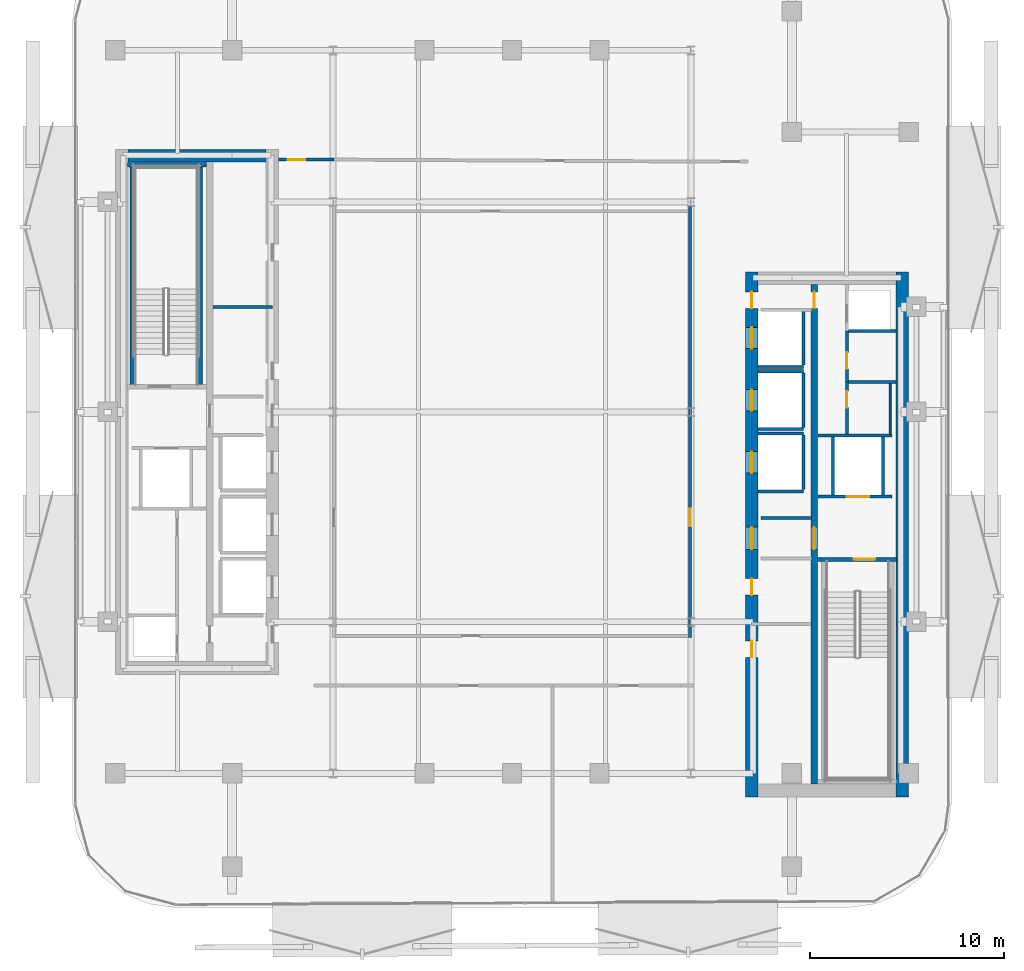
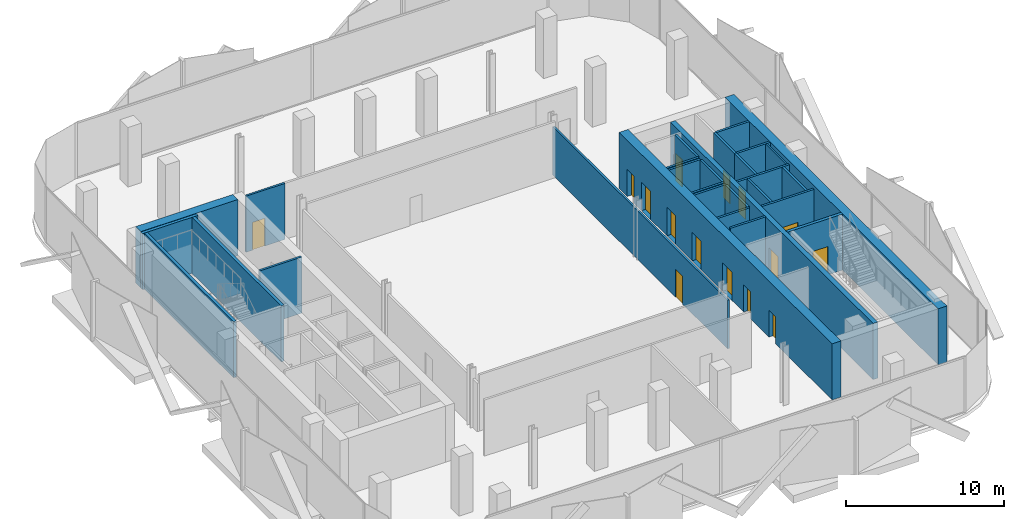
# One storey, part 4 of 14: 29 walls, 15 doors, 15 openings.
"""IFC4 building model written with IfcOpenShell, lengths in metres."""

from ifc_helpers import new_model, si_unit, direction, frame, frame_2d, origin, place, context, subcontext, project, spatial, rectangle, extrude, material, layer, layer_set, type_object, element, fill, save


model = new_model("IFC4")

# Units and contexts
model_context = context("Model", 3, precision=1e-05, world=origin(), true_north=direction((0.0, 1.0)))
body_context = subcontext(model_context, "Body", "Model", "MODEL_VIEW")
ifc_project = project(units=[si_unit("LENGTHUNIT", "METRE"), si_unit("AREAUNIT", "SQUARE_METRE"), si_unit("VOLUMEUNIT", "CUBIC_METRE"), si_unit("PLANEANGLEUNIT", "RADIAN"), si_unit("MASSUNIT", "GRAM", prefix="KILO")], contexts=[model_context])

# Site, building, storey
site_placement = place(None, origin())
site = spatial("IfcSite", under=ifc_project, at=site_placement, CompositionType="ELEMENT")
building_placement = place(site_placement, origin())
building = spatial("IfcBuilding", under=site, at=building_placement, Name="Khairoan Windgate Tower", CompositionType="ELEMENT")
storey_placement = place(building_placement, frame((0.0, 0.0, 160.39990234375)))
storey = spatial("IfcBuildingStorey", under=building, at=storey_placement, Name="L36", CompositionType="ELEMENT", Elevation=160.39990234375)

# Walls
ifc_material_1 = material(Name="Moisture-Resistant Gypsum Partition", Category="gypsum")
ifc_layer_1 = layer(ifc_material_1, 0.10009765625, Name="Moisture-Resistant Gypsum Partition")
ifc_layer_set_1 = layer_set([ifc_layer_1], Name="Moisture-Resistant Gypsum Partition")
wall_type_1 = type_object("IfcWallType", Name="Bathroom Wet-Area Partition Wall", PredefinedType="PARTITIONING", material=ifc_layer_set_1)
wall_1_placement = place(storey_placement, frame((19.449951171875, 1.449951171875, 0.0), z_axis=(0.0, 0.0, 1.0), x_axis=(0.0, -1.0, 0.0)))
element("IfcWall", 1, at=wall_1_placement, inside=storey, type_object=wall_type_1, Name="L36 Wet Room Side Wall 021", PredefinedType="PARTITIONING", context=body_context, shape_type="SweptSolid", body=[
    extrude(rectangle(XDim=2.58984375, YDim=0.10009765625, at=frame_2d((1.294921875, 0.0))), origin(), (0.0, 0.0, 1.0), 4.340087890625),
])
ifc_material_2 = material(Name="Concrete C40/50", Category="concrete")
ifc_layer_2 = layer(ifc_material_2, 0.159912109375, Name="Concrete C40/50")
ifc_layer_set_2 = layer_set([ifc_layer_2], Name="Concrete C40/50")
wall_type_2 = type_object("IfcWallType", Name="Core and Hoistway Enclosure Wall", PredefinedType="STANDARD", material=ifc_layer_set_2)
wall_2_placement = place(storey_placement, frame((12.64990234375, 2.31005859375, 0.0), z_axis=(0.0, 0.0, 1.0), x_axis=(1.0, 0.0, 0.0)))
element("IfcWall", 2, at=wall_2_placement, inside=storey, type_object=wall_type_2, Name="L36 Lift PL7 Hoistway Divider S", PredefinedType="STANDARD", context=body_context, shape_type="SweptSolid", body=[
    extrude(rectangle(XDim=2.340087890625, YDim=0.159912109375, at=frame_2d((1.169921875, 0.0))), origin(), (0.0, 0.0, 1.0), 4.340087890625),
])
wall_3_placement = place(storey_placement, frame((14.989990234375, 2.39990234375, 0.0), z_axis=(0.0, 0.0, 1.0), x_axis=(0.0, 1.0, 0.0)))
element("IfcWall", 3, at=wall_3_placement, inside=storey, type_object=wall_type_2, Name="L36 Lift PL7 Hoistway Back Wall", PredefinedType="STANDARD", context=body_context, shape_type="SweptSolid", body=[
    extrude(rectangle(XDim=2.800048828125, YDim=0.159912109375, at=frame_2d((1.39990234375, 0.0))), origin(), (0.0, 0.0, 1.0), 4.340087890625),
])
for number, where, z_axis, x_axis, name in (
    (4, (12.64990234375, -0.889892578125, 0.0), (0.0, 0.0, 1.0), (1.0, 0.0, 0.0), "L36 Lift PL8 Hoistway Divider S"),
    (5, (12.64990234375, 2.090087890625, 0.0), (0.0, 0.0, 1.0), (1.0, 0.0, 0.0), "L36 Lift PL8 Hoistway Divider N"),
):
    element("IfcWall", number, at=place(storey_placement, frame(where, z_axis=z_axis, x_axis=x_axis)), inside=storey, type_object=wall_type_2, Name=name, PredefinedType="STANDARD", context=body_context, shape_type="SweptSolid", body=[
        extrude(rectangle(XDim=2.340087890625, YDim=0.159912109375, at=frame_2d((1.169921875, 0.0))), origin(), (0.0, 0.0, 1.0), 4.340087890625),
    ])
wall_4_placement = place(storey_placement, frame((14.989990234375, -0.800048828125, 0.0), z_axis=(0.0, 0.0, 1.0), x_axis=(0.0, 1.0, 0.0)))
element("IfcWall", 6, at=wall_4_placement, inside=storey, type_object=wall_type_2, Name="L36 Lift PL8 Hoistway Back Wall", PredefinedType="STANDARD", context=body_context, shape_type="SweptSolid", body=[
    extrude(rectangle(XDim=2.800048828125, YDim=0.159912109375, at=frame_2d((1.39990234375, 0.0))), origin(), (0.0, 0.0, 1.0), 4.340087890625),
])
for number, where, z_axis, x_axis, name in (
    (7, (12.64990234375, -4.090087890625, 0.0), (0.0, 0.0, 1.0), (1.0, 0.0, 0.0), "L36 Lift PL9 Hoistway Divider S"),
    (8, (12.64990234375, -1.110107421875, 0.0), (0.0, 0.0, 1.0), (1.0, 0.0, 0.0), "L36 Lift PL9 Hoistway Divider N"),
):
    element("IfcWall", number, at=place(storey_placement, frame(where, z_axis=z_axis, x_axis=x_axis)), inside=storey, type_object=wall_type_2, Name=name, PredefinedType="STANDARD", context=body_context, shape_type="SweptSolid", body=[
        extrude(rectangle(XDim=2.340087890625, YDim=0.159912109375, at=frame_2d((1.169921875, 0.0))), origin(), (0.0, 0.0, 1.0), 4.340087890625),
    ])
wall_5_placement = place(storey_placement, frame((14.989990234375, -4.0, 0.0), z_axis=(0.0, 0.0, 1.0), x_axis=(0.0, 1.0, 0.0)))
element("IfcWall", 9, at=wall_5_placement, inside=storey, type_object=wall_type_2, Name="L36 Lift PL9 Hoistway Back Wall", PredefinedType="STANDARD", context=body_context, shape_type="SweptSolid", body=[
    extrude(rectangle(XDim=2.800048828125, YDim=0.159912109375, at=frame_2d((1.39990234375, 0.0))), origin(), (0.0, 0.0, 1.0), 4.340087890625),
])

# Wall, opening, door
wall_6_placement = place(storey_placement, frame((15.75, -4.360107421875, 0.0), z_axis=(0.0, 0.0, 1.0), x_axis=(1.0, 0.0, 0.0)))
wall_6 = element("IfcWall", 10, at=wall_6_placement, inside=storey, type_object=wall_type_2, Name="L36 Core Shaft Wall SW-FL1-L36", PredefinedType="STANDARD", context=body_context, shape_type="SweptSolid", body=[
    extrude(rectangle(XDim=3.800048828125, YDim=0.159912109375, at=frame_2d((1.89990234375, 0.0))), origin(), (0.0, 0.0, 1.0), 4.340087890625),
])
opening_1_placement = place(wall_6_placement, frame((1.469970703125, 0.0, 0.0)))
opening_1 = element("IfcOpeningElement", 11, at=opening_1_placement, cuts=wall_6, Name="Opening LD-FL", PredefinedType="OPENING", context=body_context, shape_type="SweptSolid", body=[
    extrude(rectangle(XDim=1.14990234375, YDim=2.199951171875, at=frame_2d((0.574951171875, 1.10009765625))), frame((0.0, 0.08984375, 0.0), z_axis=(0.0, -1.0, 0.0), x_axis=(1.0, 0.0, 0.0)), (0.0, 0.0, 1.0), 0.179931640625),
])
ifc_material_3 = material(Name="Steel S355", Category="steel")
door_type_1 = type_object("IfcDoorType", Name="Firefighting Lift Sliding Landing Door LD-FL 1150x2200", OperationType="DOUBLE_DOOR_SLIDING", PredefinedType="DOOR", material=ifc_material_3)
door_1_placement = place(opening_1_placement, origin())
door_1 = element("IfcDoor", 12, at=door_1_placement, inside=storey, type_object=door_type_1, Name="L36 Firefighting Lift FL1 Landing Door", OperationType="DOUBLE_DOOR_SLIDING", OverallHeight=2.199951171875, OverallWidth=1.14990234375, PredefinedType="DOOR", context=body_context, shape_type="SweptSolid", body=[
    extrude(rectangle(XDim=1.14990234375, YDim=2.199951171875, at=frame_2d((0.574951171875, 1.10009765625))), frame((0.0, 0.02490234375, 0.0), z_axis=(0.0, -1.0, 0.0), x_axis=(1.0, 0.0, 0.0)), (0.0, 0.0, 1.0), 0.050048828125),
])
fill(opening_1, door_1)

# Walls
wall_7_placement = place(storey_placement, frame((15.75, -1.219970703125, 0.0), z_axis=(0.0, 0.0, 1.0), x_axis=(1.0, 0.0, 0.0)))
element("IfcWall", 13, at=wall_7_placement, inside=storey, type_object=wall_type_2, Name="L36 Core Shaft Wall SW-FL1T-L36", PredefinedType="STANDARD", context=body_context, shape_type="SweptSolid", body=[
    extrude(rectangle(XDim=3.800048828125, YDim=0.159912109375, at=frame_2d((1.89990234375, 0.0))), origin(), (0.0, 0.0, 1.0), 4.340087890625),
])
for number, where, z_axis, x_axis, name in (
    (14, (16.52001953125, -4.280029296875, 0.0), (0.0, 0.0, 1.0), (0.0, 1.0, 0.0), "L36 Core Shaft Wall SW-FL1W-L36"),
    (15, (19.080078125, -4.280029296875, 0.0), (0.0, 0.0, 1.0), (0.0, 1.0, 0.0), "L36 Core Shaft Wall SW-FL1E-L36"),
):
    element("IfcWall", number, at=place(storey_placement, frame(where, z_axis=z_axis, x_axis=x_axis)), inside=storey, type_object=wall_type_2, Name=name, PredefinedType="STANDARD", context=body_context, shape_type="SweptSolid", body=[
        extrude(rectangle(XDim=2.97998046875, YDim=0.159912109375, at=frame_2d((1.489990234375, 0.0))), origin(), (0.0, 0.0, 1.0), 4.340087890625),
    ])
wall_8_placement = place(storey_placement, frame((12.800048828125, -5.449951171875, 0.0), z_axis=(0.0, 0.0, 1.0), x_axis=(1.0, 0.0, 0.0)))
element("IfcWall", 16, at=wall_8_placement, inside=storey, type_object=wall_type_2, Name="L36 Core Shaft Wall SW-EV1-L36", PredefinedType="STANDARD", context=body_context, shape_type="SweptSolid", body=[
    extrude(rectangle(XDim=2.599853515625, YDim=0.159912109375, at=frame_2d((1.2998046875, 0.0))), origin(), (0.0, 0.0, 1.0), 4.340087890625),
])
ifc_material_4 = material(Name="Concrete C40/50", Category="concrete")
ifc_layer_3 = layer(ifc_material_4, 0.159912109375, Name="Concrete C40/50")
ifc_layer_set_3 = layer_set([ifc_layer_3], Name="Concrete C40/50")
wall_type_3 = type_object("IfcWallType", Name="Plant and Refuge Compartment Wall", PredefinedType="PARTITIONING", material=ifc_layer_set_3)
wall_9_placement = place(storey_placement, frame((-15.375, 5.39990234375, 0.0), z_axis=(0.0, 0.0, 1.0), x_axis=(1.0, 0.0, 0.0)))
element("IfcWall", 17, at=wall_9_placement, inside=storey, type_object=wall_type_3, Name="L36 Interior Partition 004", PredefinedType="PARTITIONING", context=body_context, shape_type="SweptSolid", body=[
    extrude(rectangle(XDim=3.06494140625, YDim=0.159912109375, at=frame_2d((1.532470703125, 0.0))), origin(), (0.0, 0.0, 1.0), 4.340087890625),
])

# Wall, opening, door
wall_10_placement = place(storey_placement, frame((17.22998046875, -1.139892578125, 0.0), z_axis=(0.0, 0.0, 1.0), x_axis=(0.0, 1.0, 0.0)))
wall_10 = element("IfcWall", 18, at=wall_10_placement, inside=storey, type_object=wall_type_3, Name="L36 Interior Partition 006", PredefinedType="PARTITIONING", context=body_context, shape_type="SweptSolid", body=[
    extrude(rectangle(XDim=2.669921875, YDim=0.159912109375, at=frame_2d((1.3349609375, 0.0))), origin(), (0.0, 0.0, 1.0), 4.340087890625),
])
opening_2_placement = place(wall_10_placement, frame((1.360107421875, 0.0, 0.0)))
opening_2 = element("IfcOpeningElement", 19, at=opening_2_placement, cuts=wall_10, Name="Opening FD-SRV", PredefinedType="OPENING", context=body_context, shape_type="SweptSolid", body=[
    extrude(rectangle(XDim=0.85009765625, YDim=2.10009765625, at=frame_2d((0.425048828125, 1.050048828125))), frame((0.0, 0.08984375, 0.0), z_axis=(0.0, -1.0, 0.0), x_axis=(1.0, 0.0, 0.0)), (0.0, 0.0, 1.0), 0.179931640625),
])
ifc_material_5 = material(Name="Steel S355", Category="steel")
door_type_2 = type_object("IfcDoorType", Name="Core Service and Riser Fire Door FD-SRV 850x2100", OperationType="NOTDEFINED", PredefinedType="DOOR", material=ifc_material_5)
door_2_placement = place(opening_2_placement, origin())
door_2 = element("IfcDoor", 20, at=door_2_placement, inside=storey, type_object=door_type_2, Name="L36 L36-17-L36-19 Door", OperationType="SINGLE_SWING_RIGHT", OverallHeight=2.10009765625, OverallWidth=0.85009765625, PredefinedType="DOOR", context=body_context, shape_type="SweptSolid", body=[
    extrude(rectangle(XDim=0.85009765625, YDim=2.10009765625, at=frame_2d((0.425048828125, 1.050048828125))), frame((0.0, 0.02490234375, 0.0), z_axis=(0.0, -1.0, 0.0), x_axis=(1.0, 0.0, 0.0)), (0.0, 0.0, 1.0), 0.050048828125),
])
fill(opening_2, door_2)

wall_11_placement = place(storey_placement, frame((17.22998046875, 1.530029296875, 0.0), z_axis=(0.0, 0.0, 1.0), x_axis=(0.0, 1.0, 0.0)))
wall_11 = element("IfcWall", 21, at=wall_11_placement, inside=storey, type_object=wall_type_3, Name="L36 Interior Partition 007", PredefinedType="PARTITIONING", context=body_context, shape_type="SweptSolid", body=[
    extrude(rectangle(XDim=2.639892578125, YDim=0.159912109375, at=frame_2d((1.31982421875, 0.0))), origin(), (0.0, 0.0, 1.0), 4.340087890625),
])
opening_3_placement = place(wall_11_placement, frame((0.677490234375, 0.0, 0.0)))
opening_3 = element("IfcOpeningElement", 22, at=opening_3_placement, cuts=wall_11, Name="Opening FD-SRV", PredefinedType="OPENING", context=body_context, shape_type="SweptSolid", body=[
    extrude(rectangle(XDim=0.85009765625, YDim=2.10009765625, at=frame_2d((0.425048828125, 1.050048828125))), frame((0.0, 0.08984375, 0.0), z_axis=(0.0, -1.0, 0.0), x_axis=(1.0, 0.0, 0.0)), (0.0, 0.0, 1.0), 0.179931640625),
])
door_3_placement = place(opening_3_placement, origin())
door_3 = element("IfcDoor", 23, at=door_3_placement, inside=storey, type_object=door_type_2, Name="L36 L36-17-L36-20 Door", OperationType="SINGLE_SWING_LEFT", OverallHeight=2.10009765625, OverallWidth=0.85009765625, PredefinedType="DOOR", context=body_context, shape_type="SweptSolid", body=[
    extrude(rectangle(XDim=0.85009765625, YDim=2.10009765625, at=frame_2d((0.425048828125, 1.050048828125))), frame((0.0, 0.02490234375, 0.0), z_axis=(0.0, -1.0, 0.0), x_axis=(1.0, 0.0, 0.0)), (0.0, 0.0, 1.0), 0.050048828125),
])
fill(opening_3, door_3)

# Walls
for number, where, z_axis, x_axis, name in (
    (24, (17.31005859375, 4.169921875, 0.0), (0.0, 0.0, 1.0), (1.0, 0.0, 0.0), "L36 Interior Partition 008"),
    (25, (17.31005859375, 1.530029296875, 0.0), (0.0, 0.0, 1.0), (1.0, 0.0, 0.0), "L36 Interior Partition 009"),
):
    element("IfcWall", number, at=place(storey_placement, frame(where, z_axis=z_axis, x_axis=x_axis)), inside=storey, type_object=wall_type_3, Name=name, PredefinedType="PARTITIONING", context=body_context, shape_type="SweptSolid", body=[
        extrude(rectangle(XDim=2.43994140625, YDim=0.159912109375, at=frame_2d((1.219970703125, 0.0))), origin(), (0.0, 0.0, 1.0), 4.340087890625),
    ])

# Wall, opening, door
ifc_material_6 = material(Name="Acoustic Fire-Rated Gypsum Partition", Category="gypsum")
ifc_layer_4 = layer(ifc_material_6, 0.14990234375, Name="Acoustic Fire-Rated Gypsum Partition")
ifc_layer_set_4 = layer_set([ifc_layer_4], Name="Acoustic Fire-Rated Gypsum Partition")
wall_type_4 = type_object("IfcWallType", Name="Rated Corridor Partition Wall", PredefinedType="PARTITIONING", material=ifc_layer_set_4)
wall_12_placement = place(storey_placement, frame((-12.0, 12.97998046875, 0.0), z_axis=(0.0, 0.0, 1.0), x_axis=(1.0, 0.0, 0.0)))
wall_12 = element("IfcWall", 26, at=wall_12_placement, inside=storey, type_object=wall_type_4, Name="L36 Interior Partition 012", PredefinedType="PARTITIONING", context=body_context, shape_type="SweptSolid", body=[
    extrude(rectangle(XDim=2.840087890625, YDim=0.14990234375, at=frame_2d((1.419921875, 0.0))), origin(), (0.0, 0.0, 1.0), 4.340087890625),
])
opening_4_placement = place(wall_12_placement, frame((0.4599609375, 0.0, 0.0)))
opening_4 = element("IfcOpeningElement", 27, at=opening_4_placement, cuts=wall_12, Name="Opening FD-ENT", PredefinedType="OPENING", context=body_context, shape_type="SweptSolid", body=[
    extrude(rectangle(XDim=0.89990234375, YDim=2.14990234375, at=frame_2d((0.449951171875, 1.074951171875))), frame((0.0, 0.0849609375, 0.0), z_axis=(0.0, -1.0, 0.0), x_axis=(1.0, 0.0, 0.0)), (0.0, 0.0, 1.0), 0.169921875),
])
ifc_material_7 = material(Name="Timber Fire-Rated Core", Category="wood")
door_type_3 = type_object("IfcDoorType", Name="Unit and Office Fire Entrance Door FD-ENT 900x2150", OperationType="NOTDEFINED", PredefinedType="DOOR", material=ifc_material_7)
door_4_placement = place(opening_4_placement, origin())
door_4 = element("IfcDoor", 28, at=door_4_placement, inside=storey, type_object=door_type_3, Name="L36 L36-28-L36-33 Door", OperationType="SINGLE_SWING_LEFT", OverallHeight=2.14990234375, OverallWidth=0.89990234375, PredefinedType="DOOR", context=body_context, shape_type="SweptSolid", body=[
    extrude(rectangle(XDim=0.89990234375, YDim=2.14990234375, at=frame_2d((0.449951171875, 1.074951171875))), frame((0.0, 0.02490234375, 0.0), z_axis=(0.0, -1.0, 0.0), x_axis=(1.0, 0.0, 0.0)), (0.0, 0.0, 1.0), 0.050048828125),
])
fill(opening_4, door_4)

wall_13_placement = place(storey_placement, frame((9.159912109375, -11.594970703125, 0.0), z_axis=(0.0, 0.0, 1.0), x_axis=(0.0, 1.0, 0.0)))
wall_13 = element("IfcWall", 29, at=wall_13_placement, inside=storey, type_object=wall_type_4, Name="L36 Interior Partition 013", PredefinedType="PARTITIONING", context=body_context, shape_type="SweptSolid", body=[
    extrude(rectangle(XDim=22.169677734375, YDim=0.14990234375, at=frame_2d((11.0849609375, 0.0))), origin(), (0.0, 0.0, 1.0), 3.752197265625),
])
opening_5_placement = place(wall_13_placement, frame((5.7041015625, 0.0, 0.0)))
opening_5 = element("IfcOpeningElement", 30, at=opening_5_placement, cuts=wall_13, Name="Opening FD-ENT", PredefinedType="OPENING", context=body_context, shape_type="SweptSolid", body=[
    extrude(rectangle(XDim=0.89990234375, YDim=2.14990234375, at=frame_2d((0.449951171875, 1.074951171875))), frame((0.0, 0.0849609375, 0.0), z_axis=(0.0, -1.0, 0.0), x_axis=(1.0, 0.0, 0.0)), (0.0, 0.0, 1.0), 0.169921875),
])
door_5_placement = place(opening_5_placement, origin())
door_5 = element("IfcDoor", 31, at=door_5_placement, inside=storey, type_object=door_type_3, Name="L36 L36-29-L36-32 Door", OperationType="SINGLE_SWING_RIGHT", OverallHeight=2.14990234375, OverallWidth=0.89990234375, PredefinedType="DOOR", context=body_context, shape_type="SweptSolid", body=[
    extrude(rectangle(XDim=0.89990234375, YDim=2.14990234375, at=frame_2d((0.449951171875, 1.074951171875))), frame((0.0, 0.02490234375, 0.0), z_axis=(0.0, -1.0, 0.0), x_axis=(1.0, 0.0, 0.0)), (0.0, 0.0, 1.0), 0.050048828125),
])
fill(opening_5, door_5)

# Wall, openings, doors
ifc_material_8 = material(Name="Concrete C60/75", Category="concrete")
ifc_layer_5 = layer(ifc_material_8, 0.64990234375, Name="Concrete C60/75")
ifc_layer_set_5 = layer_set([ifc_layer_5], Name="Concrete C60/75")
wall_type_5 = type_object("IfcWallType", Name="Shear Wall CW-E2 650mm", PredefinedType="SHEAR", material=ifc_layer_set_5)
wall_14_placement = place(storey_placement, frame((12.324951171875, -19.800048828125, 0.0), z_axis=(0.0, 0.0, 1.0), x_axis=(0.0, 1.0, 0.0)))
wall_14 = element("IfcWall", 32, at=wall_14_placement, inside=storey, type_object=wall_type_5, Name="E Core West Shear Wall L36", PredefinedType="SHEAR", context=body_context, shape_type="SweptSolid", body=[
    extrude(rectangle(XDim=27.0, YDim=0.64990234375, at=frame_2d((13.5, 0.0))), origin(), (0.0, 0.0, 1.0), 4.340087890625),
])
opening_6_placement = place(wall_14_placement, frame((23.050048828125, 0.0, 0.0)))
opening_6 = element("IfcOpeningElement", 33, at=opening_6_placement, cuts=wall_14, Name="Opening LD-PL", PredefinedType="OPENING", context=body_context, shape_type="SweptSolid", body=[
    extrude(rectangle(XDim=1.10009765625, YDim=2.199951171875, at=frame_2d((0.550048828125, 1.10009765625))), frame((0.0, 0.3349609375, 0.0), z_axis=(0.0, -1.0, 0.0), x_axis=(1.0, 0.0, 0.0)), (0.0, 0.0, 1.0), 0.669921875),
])
opening_7_placement = place(wall_14_placement, frame((19.85009765625, 0.0, 0.0)))
opening_7 = element("IfcOpeningElement", 34, at=opening_7_placement, cuts=wall_14, Name="Opening LD-PL", PredefinedType="OPENING", context=body_context, shape_type="SweptSolid", body=[
    extrude(rectangle(XDim=1.10009765625, YDim=2.199951171875, at=frame_2d((0.550048828125, 1.10009765625))), frame((0.0, 0.3349609375, 0.0), z_axis=(0.0, -1.0, 0.0), x_axis=(1.0, 0.0, 0.0)), (0.0, 0.0, 1.0), 0.669921875),
])
opening_8_placement = place(wall_14_placement, frame((16.64990234375, 0.0, 0.0)))
opening_8 = element("IfcOpeningElement", 35, at=opening_8_placement, cuts=wall_14, Name="Opening LD-PL", PredefinedType="OPENING", context=body_context, shape_type="SweptSolid", body=[
    extrude(rectangle(XDim=1.10009765625, YDim=2.199951171875, at=frame_2d((0.550048828125, 1.10009765625))), frame((0.0, 0.3349609375, 0.0), z_axis=(0.0, -1.0, 0.0), x_axis=(1.0, 0.0, 0.0)), (0.0, 0.0, 1.0), 0.669921875),
])
opening_9_placement = place(wall_14_placement, frame((7.175048828125, 0.0, 0.0)))
opening_9 = element("IfcOpeningElement", 36, at=opening_9_placement, cuts=wall_14, Name="Opening FD-SRV", PredefinedType="OPENING", context=body_context, shape_type="SweptSolid", body=[
    extrude(rectangle(XDim=0.85009765625, YDim=2.10009765625, at=frame_2d((0.425048828125, 1.050048828125))), frame((0.0, 0.3349609375, 0.0), z_axis=(0.0, -1.0, 0.0), x_axis=(1.0, 0.0, 0.0)), (0.0, 0.0, 1.0), 0.669921875),
])
opening_10_placement = place(wall_14_placement, frame((10.375, 0.0, 0.0)))
opening_10 = element("IfcOpeningElement", 37, at=opening_10_placement, cuts=wall_14, Name="Opening FD-SRV", PredefinedType="OPENING", context=body_context, shape_type="SweptSolid", body=[
    extrude(rectangle(XDim=0.85009765625, YDim=2.10009765625, at=frame_2d((0.425048828125, 1.050048828125))), frame((0.0, 0.3349609375, 0.0), z_axis=(0.0, -1.0, 0.0), x_axis=(1.0, 0.0, 0.0)), (0.0, 0.0, 1.0), 0.669921875),
])
opening_11_placement = place(wall_14_placement, frame((12.72509765625, 0.0, 0.0)))
opening_11 = element("IfcOpeningElement", 38, at=opening_11_placement, cuts=wall_14, Name="Opening FD-FFL", PredefinedType="OPENING", context=body_context, shape_type="SweptSolid", body=[
    extrude(rectangle(XDim=1.14990234375, YDim=2.199951171875, at=frame_2d((0.574951171875, 1.10009765625))), frame((0.0, 0.3349609375, 0.0), z_axis=(0.0, -1.0, 0.0), x_axis=(1.0, 0.0, 0.0)), (0.0, 0.0, 1.0), 0.669921875),
])
opening_12_placement = place(wall_14_placement, frame((25.125, 0.0, 0.0)))
opening_12 = element("IfcOpeningElement", 39, at=opening_12_placement, cuts=wall_14, Name="Opening FD-SRV", PredefinedType="OPENING", context=body_context, shape_type="SweptSolid", body=[
    extrude(rectangle(XDim=0.85009765625, YDim=2.10009765625, at=frame_2d((0.425048828125, 1.050048828125))), frame((0.0, 0.3349609375, 0.0), z_axis=(0.0, -1.0, 0.0), x_axis=(1.0, 0.0, 0.0)), (0.0, 0.0, 1.0), 0.669921875),
])
door_6_placement = place(opening_9_placement, origin())
door_6 = element("IfcDoor", 40, at=door_6_placement, inside=storey, type_object=door_type_2, Name="L36 East Core Service Room Door 1", OperationType="SINGLE_SWING_LEFT", OverallHeight=2.10009765625, OverallWidth=0.85009765625, PredefinedType="DOOR", context=body_context, shape_type="SweptSolid", body=[
    extrude(rectangle(XDim=0.85009765625, YDim=2.10009765625, at=frame_2d((0.425048828125, 1.050048828125))), frame((0.0, 0.02490234375, 0.0), z_axis=(0.0, -1.0, 0.0), x_axis=(1.0, 0.0, 0.0)), (0.0, 0.0, 1.0), 0.050048828125),
])
fill(opening_9, door_6)
door_7_placement = place(opening_10_placement, origin())
door_7 = element("IfcDoor", 41, at=door_7_placement, inside=storey, type_object=door_type_2, Name="L36 East Core Service Room Door 2", OperationType="SINGLE_SWING_RIGHT", OverallHeight=2.10009765625, OverallWidth=0.85009765625, PredefinedType="DOOR", context=body_context, shape_type="SweptSolid", body=[
    extrude(rectangle(XDim=0.85009765625, YDim=2.10009765625, at=frame_2d((0.425048828125, 1.050048828125))), frame((0.0, 0.02490234375, 0.0), z_axis=(0.0, -1.0, 0.0), x_axis=(1.0, 0.0, 0.0)), (0.0, 0.0, 1.0), 0.050048828125),
])
fill(opening_10, door_7)
door_8_placement = place(opening_12_placement, origin())
door_8 = element("IfcDoor", 42, at=door_8_placement, inside=storey, type_object=door_type_2, Name="L36 East Core Service Vestibule Outer Door", OperationType="SINGLE_SWING_LEFT", OverallHeight=2.10009765625, OverallWidth=0.85009765625, PredefinedType="DOOR", context=body_context, shape_type="SweptSolid", body=[
    extrude(rectangle(XDim=0.85009765625, YDim=2.10009765625, at=frame_2d((0.425048828125, 1.050048828125))), frame((0.0, 0.02490234375, 0.0), z_axis=(0.0, -1.0, 0.0), x_axis=(1.0, 0.0, 0.0)), (0.0, 0.0, 1.0), 0.050048828125),
])
fill(opening_12, door_8)
ifc_material_9 = material(Name="Steel S355", Category="steel")
door_type_4 = type_object("IfcDoorType", Name="Firefighting Lobby Fire Door FD-FFL 1150x2200", OperationType="NOTDEFINED", PredefinedType="DOOR", material=ifc_material_9)
door_9_placement = place(opening_11_placement, origin())
door_9 = element("IfcDoor", 43, at=door_9_placement, inside=storey, type_object=door_type_4, Name="L36 East Core Vestibule Entry Door", OperationType="SINGLE_SWING_LEFT", OverallHeight=2.199951171875, OverallWidth=1.14990234375, PredefinedType="DOOR", context=body_context, shape_type="SweptSolid", body=[
    extrude(rectangle(XDim=1.14990234375, YDim=2.199951171875, at=frame_2d((0.574951171875, 1.10009765625))), frame((0.0, 0.02490234375, 0.0), z_axis=(0.0, -1.0, 0.0), x_axis=(1.0, 0.0, 0.0)), (0.0, 0.0, 1.0), 0.050048828125),
])
fill(opening_11, door_9)
ifc_material_10 = material(Name="Anodised Bronze Aluminium 6063-T6", Category="aluminium")
door_type_5 = type_object("IfcDoorType", Name="Passenger Lift Sliding Landing Door LD-PL 1100x2200", OperationType="DOUBLE_DOOR_SLIDING", PredefinedType="DOOR", material=ifc_material_10)
door_10_placement = place(opening_6_placement, origin())
door_10 = element("IfcDoor", 44, at=door_10_placement, inside=storey, type_object=door_type_5, Name="L36 Lift PL7 Sliding Landing Door", OperationType="DOUBLE_DOOR_SLIDING", OverallHeight=2.199951171875, OverallWidth=1.10009765625, PredefinedType="DOOR", context=body_context, shape_type="SweptSolid", body=[
    extrude(rectangle(XDim=1.10009765625, YDim=2.199951171875, at=frame_2d((0.550048828125, 1.10009765625))), frame((0.0, 0.02490234375, 0.0), z_axis=(0.0, -1.0, 0.0), x_axis=(1.0, 0.0, 0.0)), (0.0, 0.0, 1.0), 0.050048828125),
])
fill(opening_6, door_10)
door_11_placement = place(opening_7_placement, origin())
door_11 = element("IfcDoor", 45, at=door_11_placement, inside=storey, type_object=door_type_5, Name="L36 Lift PL8 Sliding Landing Door", OperationType="DOUBLE_DOOR_SLIDING", OverallHeight=2.199951171875, OverallWidth=1.10009765625, PredefinedType="DOOR", context=body_context, shape_type="SweptSolid", body=[
    extrude(rectangle(XDim=1.10009765625, YDim=2.199951171875, at=frame_2d((0.550048828125, 1.10009765625))), frame((0.0, 0.02490234375, 0.0), z_axis=(0.0, -1.0, 0.0), x_axis=(1.0, 0.0, 0.0)), (0.0, 0.0, 1.0), 0.050048828125),
])
fill(opening_7, door_11)
door_12_placement = place(opening_8_placement, origin())
door_12 = element("IfcDoor", 46, at=door_12_placement, inside=storey, type_object=door_type_5, Name="L36 Lift PL9 Sliding Landing Door", OperationType="DOUBLE_DOOR_SLIDING", OverallHeight=2.199951171875, OverallWidth=1.10009765625, PredefinedType="DOOR", context=body_context, shape_type="SweptSolid", body=[
    extrude(rectangle(XDim=1.10009765625, YDim=2.199951171875, at=frame_2d((0.550048828125, 1.10009765625))), frame((0.0, 0.02490234375, 0.0), z_axis=(0.0, -1.0, 0.0), x_axis=(1.0, 0.0, 0.0)), (0.0, 0.0, 1.0), 0.050048828125),
])
fill(opening_8, door_12)

# Walls
wall_15_placement = place(storey_placement, frame((20.074951171875, -19.800048828125, 0.0), z_axis=(0.0, 0.0, 1.0), x_axis=(0.0, 1.0, 0.0)))
element("IfcWall", 47, at=wall_15_placement, inside=storey, type_object=wall_type_5, Name="E Core East Shear Wall L36", PredefinedType="SHEAR", context=body_context, shape_type="SweptSolid", body=[
    extrude(rectangle(XDim=27.0, YDim=0.64990234375, at=frame_2d((13.5, 0.0))), origin(), (0.0, 0.0, 1.0), 4.340087890625),
])
ifc_material_11 = material(Name="Concrete C60/75", Category="concrete")
ifc_layer_6 = layer(ifc_material_11, 0.64990234375, Name="Concrete C60/75")
ifc_layer_set_6 = layer_set([ifc_layer_6], Name="Concrete C60/75")
wall_type_6 = type_object("IfcWallType", Name="Shear Wall CW-W2 650mm", PredefinedType="SHEAR", material=ifc_layer_set_6)
wall_16_placement = place(storey_placement, frame((-19.75, 13.175048828125, 0.0), z_axis=(0.0, 0.0, 1.0), x_axis=(1.0, 0.0, 0.0)))
element("IfcWall", 48, at=wall_16_placement, inside=storey, type_object=wall_type_6, Name="W Core North Shear Wall L36", PredefinedType="SHEAR", context=body_context, shape_type="SweptSolid", body=[
    extrude(rectangle(XDim=7.10009765625, YDim=0.64990234375, at=frame_2d((3.550048828125, 0.0))), origin(), (0.0, 0.0, 1.0), 4.340087890625),
])

# Wall, openings, doors
ifc_material_12 = material(Name="Concrete C60/75", Category="concrete")
ifc_layer_7 = layer(ifc_material_12, 0.35009765625, Name="Concrete C60/75")
ifc_layer_set_7 = layer_set([ifc_layer_7], Name="Concrete C60/75")
wall_type_7 = type_object("IfcWallType", Name="Shear Wall SW-1 350mm", PredefinedType="SHEAR", material=ifc_layer_set_7)
wall_17_placement = place(storey_placement, frame((15.550048828125, -19.14990234375, 0.0), z_axis=(0.0, 0.0, 1.0), x_axis=(0.0, 1.0, 0.0)))
wall_17 = element("IfcWall", 49, at=wall_17_placement, inside=storey, type_object=wall_type_7, Name="E Core Spine Shear Wall L36", PredefinedType="SHEAR", context=body_context, shape_type="SweptSolid", body=[
    extrude(rectangle(XDim=25.699951171875, YDim=0.35009765625, at=frame_2d((12.85009765625, 0.0))), origin(), (0.0, 0.0, 1.0), 4.340087890625),
])
opening_13_placement = place(wall_17_placement, frame((12.074951171875, 0.0, 0.0)))
opening_13 = element("IfcOpeningElement", 50, at=opening_13_placement, cuts=wall_17, Name="Opening FD-FFL", PredefinedType="OPENING", context=body_context, shape_type="SweptSolid", body=[
    extrude(rectangle(XDim=1.14990234375, YDim=2.199951171875, at=frame_2d((0.574951171875, 1.10009765625))), frame((0.0, 0.18505859375, 0.0), z_axis=(0.0, -1.0, 0.0), x_axis=(1.0, 0.0, 0.0)), (0.0, 0.0, 1.0), 0.3701171875),
])
opening_14_placement = place(wall_17_placement, frame((24.47509765625, 0.0, 0.0)))
opening_14 = element("IfcOpeningElement", 51, at=opening_14_placement, cuts=wall_17, Name="Opening FD-SRV", PredefinedType="OPENING", context=body_context, shape_type="SweptSolid", body=[
    extrude(rectangle(XDim=0.85009765625, YDim=2.10009765625, at=frame_2d((0.425048828125, 1.050048828125))), frame((0.0, 0.18505859375, 0.0), z_axis=(0.0, -1.0, 0.0), x_axis=(1.0, 0.0, 0.0)), (0.0, 0.0, 1.0), 0.3701171875),
])
door_13_placement = place(opening_14_placement, origin())
door_13 = element("IfcDoor", 52, at=door_13_placement, inside=storey, type_object=door_type_2, Name="L36 East Core Service Passage Inner Door", OperationType="SINGLE_SWING_RIGHT", OverallHeight=2.10009765625, OverallWidth=0.85009765625, PredefinedType="DOOR", context=body_context, shape_type="SweptSolid", body=[
    extrude(rectangle(XDim=0.85009765625, YDim=2.10009765625, at=frame_2d((0.425048828125, 1.050048828125))), frame((0.0, 0.02490234375, 0.0), z_axis=(0.0, -1.0, 0.0), x_axis=(1.0, 0.0, 0.0)), (0.0, 0.0, 1.0), 0.050048828125),
])
fill(opening_14, door_13)
door_14_placement = place(opening_13_placement, origin())
door_14 = element("IfcDoor", 53, at=door_14_placement, inside=storey, type_object=door_type_4, Name="L36 East Firefighting Lobby Fire Door", OperationType="SINGLE_SWING_RIGHT", OverallHeight=2.199951171875, OverallWidth=1.14990234375, PredefinedType="DOOR", context=body_context, shape_type="SweptSolid", body=[
    extrude(rectangle(XDim=1.14990234375, YDim=2.199951171875, at=frame_2d((0.574951171875, 1.10009765625))), frame((0.0, 0.02490234375, 0.0), z_axis=(0.0, -1.0, 0.0), x_axis=(1.0, 0.0, 0.0)), (0.0, 0.0, 1.0), 0.050048828125),
])
fill(opening_13, door_14)

# Wall, opening, door
ifc_material_13 = material(Name="Concrete C50/60", Category="concrete")
ifc_layer_8 = layer(ifc_material_13, 0.219970703125, Name="Concrete C50/60")
ifc_layer_set_8 = layer_set([ifc_layer_8], Name="Concrete C50/60")
wall_type_8 = type_object("IfcWallType", Name="Shear Wall SW-ST 220mm", PredefinedType="SHEAR", material=ifc_layer_set_8)
wall_18_placement = place(storey_placement, frame((19.77001953125, -7.590087890625, 0.0), z_axis=(0.0, 0.0, 1.0), x_axis=(-1.0, 0.0, 0.0)))
wall_18 = element("IfcWall", 54, at=wall_18_placement, inside=storey, type_object=wall_type_8, Name="L36 Stair ST1 North Bearing Wall", PredefinedType="SHEAR", context=body_context, shape_type="SweptSolid", body=[
    extrude(rectangle(XDim=4.06494140625, YDim=0.219970703125, at=frame_2d((2.032470703125, 0.0))), origin(), (0.0, 0.0, 1.0), 4.340087890625),
])
opening_15_placement = place(wall_18_placement, frame((1.080078125, 0.0, 0.0)))
opening_15 = element("IfcOpeningElement", 55, at=opening_15_placement, cuts=wall_18, Name="Opening FD-ST", PredefinedType="OPENING", context=body_context, shape_type="SweptSolid", body=[
    extrude(rectangle(XDim=1.10009765625, YDim=2.199951171875, at=frame_2d((0.550048828125, 1.10009765625))), frame((0.0, 0.119873046875, 0.0), z_axis=(0.0, -1.0, 0.0), x_axis=(1.0, 0.0, 0.0)), (0.0, 0.0, 1.0), 0.239990234375),
])
ifc_material_14 = material(Name="Steel S355", Category="steel")
door_type_6 = type_object("IfcDoorType", Name="Smokeproof Stair Fire Door FD-ST 1100x2200", OperationType="NOTDEFINED", PredefinedType="DOOR", material=ifc_material_14)
door_15_placement = place(opening_15_placement, origin())
door_15 = element("IfcDoor", 56, at=door_15_placement, inside=storey, type_object=door_type_6, Name="L36 Stair ST1 Fire Door", OperationType="SINGLE_SWING_LEFT", OverallHeight=2.199951171875, OverallWidth=1.10009765625, PredefinedType="DOOR", context=body_context, shape_type="SweptSolid", body=[
    extrude(rectangle(XDim=1.10009765625, YDim=2.199951171875, at=frame_2d((0.550048828125, 1.10009765625))), frame((0.0, 0.02490234375, 0.0), z_axis=(0.0, -1.0, 0.0), x_axis=(1.0, 0.0, 0.0)), (0.0, 0.0, 1.0), 0.050048828125),
])
fill(opening_15, door_15)

# Walls
for number, where, z_axis, x_axis, name in (
    (57, (-16.0400390625, 1.2900390625, 0.0), (0.0, 0.0, 1.0), (0.0, 1.0, 0.0), "L36 Stair ST2 East Bearing Wall"),
    (58, (-19.530029296875, 1.2900390625, 0.0), (0.0, 0.0, 1.0), (0.0, 1.0, 0.0), "L36 Stair ST2 West Bearing Wall"),
):
    element("IfcWall", number, at=place(storey_placement, frame(where, z_axis=z_axis, x_axis=x_axis)), inside=storey, type_object=wall_type_8, Name=name, PredefinedType="SHEAR", context=body_context, shape_type="SweptSolid", body=[
        extrude(rectangle(XDim=11.419921875, YDim=0.219970703125, at=frame_2d((5.7099609375, 0.0))), origin(), (0.0, 0.0, 1.0), 4.340087890625),
    ])
wall_19_placement = place(storey_placement, frame((-19.77001953125, 12.7099609375, 0.0), z_axis=(0.0, 0.0, 1.0), x_axis=(1.0, 0.0, 0.0)))
element("IfcWall", 59, at=wall_19_placement, inside=storey, type_object=wall_type_8, Name="L36 Stair ST2 North Bearing Wall", PredefinedType="SHEAR", context=body_context, shape_type="SweptSolid", body=[
    extrude(rectangle(XDim=4.06494140625, YDim=0.219970703125, at=frame_2d((2.032470703125, 0.0))), origin(), (0.0, 0.0, 1.0), 4.340087890625),
])

save(model, "model.ifc")
